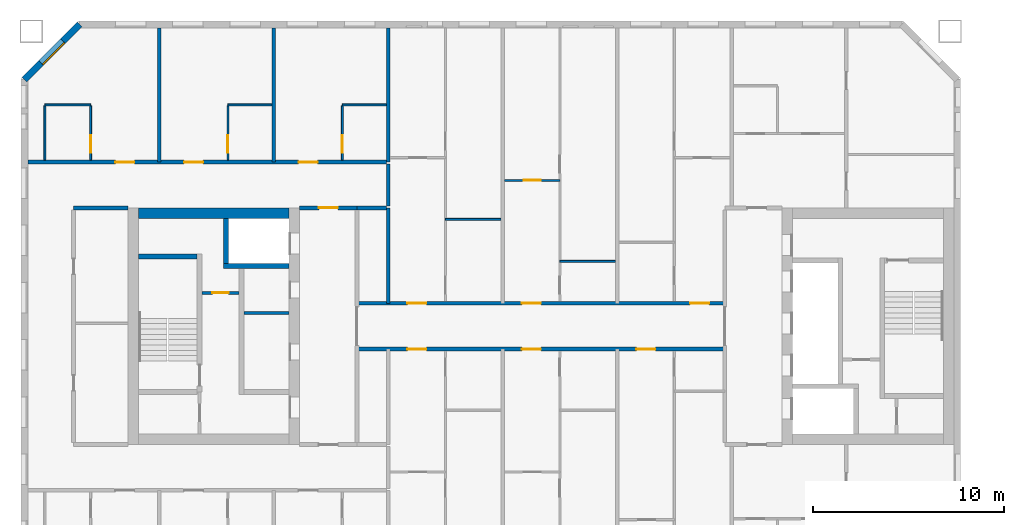
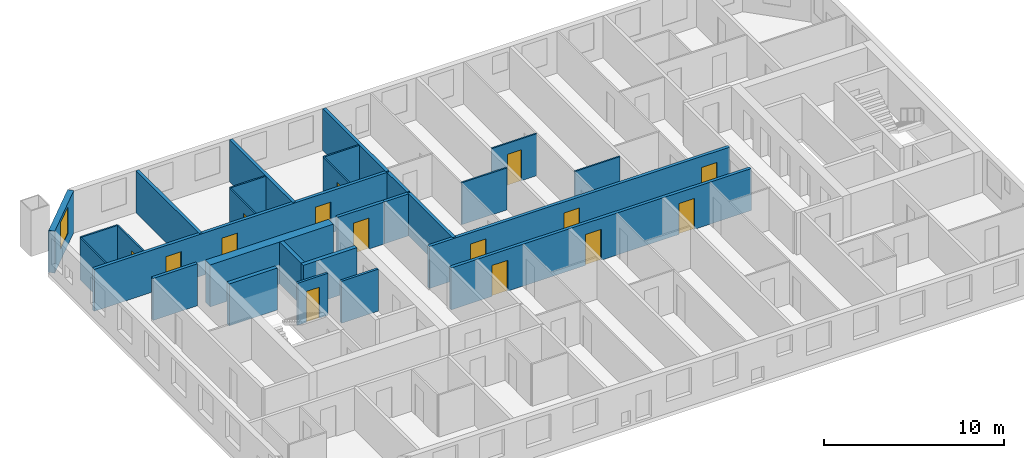
# One storey, part 5 of 16: 28 walls, 15 doors, 1 window, 16 openings.
"""IFC4 building model written with IfcOpenShell, lengths in metres."""

from ifc_helpers import new_model, si_unit, direction, frame, frame_2d, origin, place, context, subcontext, project, spatial, rectangle, extrude, material, layer, layer_set, type_object, element, fill, save


model = new_model("IFC4")

# Units and contexts
model_context = context("Model", 3, precision=1e-05, world=origin(), true_north=direction((0.0, 1.0)))
body_context = subcontext(model_context, "Body", "Model", "MODEL_VIEW")
ifc_project = project(units=[si_unit("LENGTHUNIT", "METRE"), si_unit("AREAUNIT", "SQUARE_METRE"), si_unit("VOLUMEUNIT", "CUBIC_METRE"), si_unit("PLANEANGLEUNIT", "RADIAN"), si_unit("MASSUNIT", "GRAM", prefix="KILO")], contexts=[model_context])

# Site, building, storey
site_placement = place(None, origin())
site = spatial("IfcSite", under=ifc_project, at=site_placement, CompositionType="ELEMENT")
building_placement = place(site_placement, origin())
building = spatial("IfcBuilding", under=site, at=building_placement, Name="Tuart Gate Housing", CompositionType="ELEMENT")
storey_placement = place(building_placement, frame((0.0, 0.0, 136.10009765625)))
storey = spatial("IfcBuildingStorey", under=building, at=storey_placement, Name="L38", CompositionType="ELEMENT", Elevation=136.10009765625)

# Wall, opening, window
ifc_material_1 = material(Name="Brick", Category="masonry")
ifc_layer_1 = layer(ifc_material_1, 0.360107421875)
ifc_layer_set_1 = layer_set([ifc_layer_1], Name="Brick pier and spandrel wall 360")
wall_type_1 = type_object("IfcWallType", Name="Brick pier and spandrel wall 360", PredefinedType="STANDARD", material=ifc_layer_set_1)
wall_1_placement = place(storey_placement, frame((29.82470703125, 85.820068359375, 0.0), z_axis=(0.0, 0.0, 1.0), x_axis=(-0.707106781187, -0.707106781187, 0.0)))
wall_1 = element("IfcWall", 1, at=wall_1_placement, inside=storey, type_object=wall_type_1, Name="External wall A-NW L38", PredefinedType="STANDARD", context=body_context, shape_type="SweptSolid", body=[
    extrude(rectangle(XDim=4.09375, YDim=0.360107421875, at=frame_2d((2.046875, 0.0))), origin(), (0.0, 0.0, 1.0), 2.849853515625),
])
opening_1_placement = place(wall_1_placement, frame((1.2470703125, 0.0, 0.800048828125)))
opening_1 = element("IfcOpeningElement", 2, at=opening_1_placement, cuts=wall_1, Name="Opening W1", PredefinedType="OPENING", context=body_context, shape_type="SweptSolid", body=[
    extrude(rectangle(XDim=1.60009765625, YDim=1.800048828125, at=frame_2d((0.800048828125, 0.89990234375))), frame((0.0, 0.18994140625, 0.0), z_axis=(0.0, -1.0, 0.0), x_axis=(1.0, 0.0, 0.0)), (0.0, 0.0, 1.0), 0.380126953125),
])
ifc_material_2 = material(Name="Aluminium frame with clear glass", Category="aluminium")
window_type = type_object("IfcWindowType", Name="Punched window 1600 x 1800", PartitioningType="SINGLE_PANEL", PredefinedType="WINDOW", material=ifc_material_2)
window_placement = place(opening_1_placement, origin())
window = element("IfcWindow", 3, at=window_placement, inside=storey, type_object=window_type, Name="Window W1", OverallHeight=1.800048828125, OverallWidth=1.60009765625, PartitioningType="SINGLE_PANEL", PredefinedType="WINDOW", context=body_context, shape_type="SweptSolid", body=[
    extrude(rectangle(XDim=1.60009765625, YDim=1.800048828125, at=frame_2d((0.800048828125, 0.89990234375))), frame((0.0, 0.150146484375, 0.0), z_axis=(0.0, -1.0, 0.0), x_axis=(1.0, 0.0, 0.0)), (0.0, 0.0, 1.0), 0.06005859375),
])
fill(opening_1, window)

# Wall, opening, door
ifc_material_3 = material(Name="Plasterboard partition")
ifc_layer_2 = layer(ifc_material_3, 0.14990234375)
ifc_layer_set_2 = layer_set([ifc_layer_2], Name="Core partition 150")
wall_type_2 = type_object("IfcWallType", Name="Core partition 150", PredefinedType="PARTITIONING", material=ifc_layer_set_2)
wall_2_placement = place(storey_placement, frame((38.18505859375, 71.75, 0.0), z_axis=(0.0, 0.0, 1.0), x_axis=(-1.0, 0.0, 0.0)))
wall_2 = element("IfcWall", 4, at=wall_2_placement, inside=storey, type_object=wall_type_2, Name="Core partition AK.3", PredefinedType="PARTITIONING", context=body_context, shape_type="SweptSolid", body=[
    extrude(rectangle(XDim=1.949951171875, YDim=0.14990234375, at=frame_2d((0.97509765625, 0.0))), origin(), (0.0, 0.0, 1.0), 2.849853515625),
])
opening_2_placement = place(wall_2_placement, frame((0.550048828125, 0.0, 0.0)))
opening_2 = element("IfcOpeningElement", 5, at=opening_2_placement, cuts=wall_2, Name="Opening D1424", PredefinedType="OPENING", context=body_context, shape_type="SweptSolid", body=[
    extrude(rectangle(XDim=0.85009765625, YDim=2.10009765625, at=frame_2d((0.425048828125, 1.050048828125))), frame((0.0, 0.0849609375, 0.0), z_axis=(0.0, -1.0, 0.0), x_axis=(1.0, 0.0, 0.0)), (0.0, 0.0, 1.0), 0.169921875),
])
ifc_material_4 = material(Name="Steel fire door", Category="steel")
door_type_1 = type_object("IfcDoorType", Name="Riser door 850 x 2100 RH", OperationType="SINGLE_SWING_RIGHT", PredefinedType="DOOR", material=ifc_material_4)
door_1_placement = place(opening_2_placement, frame((0.85009765625, 0.0, 0.0), z_axis=(0.0, 0.0, 1.0), x_axis=(-1.0, 0.0, 0.0)))
door_1 = element("IfcDoor", 6, at=door_1_placement, inside=storey, type_object=door_type_1, Name="Service room door AK.E1", OperationType="SINGLE_SWING_RIGHT", OverallHeight=2.10009765625, OverallWidth=0.85009765625, PredefinedType="DOOR", context=body_context, shape_type="SweptSolid", body=[
    extrude(rectangle(XDim=0.85009765625, YDim=2.10009765625, at=frame_2d((0.425048828125, 1.050048828125))), frame((0.0, 0.025146484375, 0.0), z_axis=(0.0, -1.0, 0.0), x_axis=(1.0, 0.0, 0.0)), (0.0, 0.0, 1.0), 0.050048828125),
])
fill(opening_2, door_1)

# Walls
wall_3_placement = place(storey_placement, frame((40.81005859375, 70.699951171875, 0.0), z_axis=(0.0, 0.0, 1.0), x_axis=(-1.0, 0.0, 0.0)))
element("IfcWall", 7, at=wall_3_placement, inside=storey, type_object=wall_type_2, Name="Core partition AK.4", PredefinedType="PARTITIONING", context=body_context, shape_type="SweptSolid", body=[
    extrude(rectangle(XDim=2.375, YDim=0.14990234375, at=frame_2d((1.1875, 0.0))), origin(), (0.0, 0.0, 1.0), 2.849853515625),
])
ifc_material_5 = material(Name="Concrete C50", Category="concrete")
ifc_layer_3 = layer(ifc_material_5, 0.25)
ifc_layer_set_3 = layer_set([ifc_layer_3], Name="Core wall 250 C50")
wall_type_3 = type_object("IfcWallType", Name="Core wall 250 C50", PredefinedType="SHEAR", material=ifc_layer_set_3)
wall_4_placement = place(storey_placement, frame((35.985107421875, 73.64990234375, 0.0), z_axis=(0.0, 0.0, 1.0), x_axis=(-1.0, 0.0, 0.0)))
element("IfcWall", 8, at=wall_4_placement, inside=storey, type_object=wall_type_3, Name="Core wall AK.1", PredefinedType="SHEAR", context=body_context, shape_type="SweptSolid", body=[
    extrude(rectangle(XDim=3.0751953125, YDim=0.25, at=frame_2d((1.53759765625, 0.0))), origin(), (0.0, 0.0, 1.0), 2.849853515625),
])
wall_5_placement = place(storey_placement, frame((40.81005859375, 73.14990234375, 0.0), z_axis=(0.0, 0.0, 1.0), x_axis=(-1.0, 0.0, 0.0)))
element("IfcWall", 9, at=wall_5_placement, inside=storey, type_object=wall_type_3, Name="Core wall AK.2", PredefinedType="SHEAR", context=body_context, shape_type="SweptSolid", body=[
    extrude(rectangle(XDim=3.445068359375, YDim=0.25, at=frame_2d((1.72265625, 0.0))), origin(), (0.0, 0.0, 1.0), 2.849853515625),
])
wall_6_placement = place(storey_placement, frame((37.489990234375, 75.64990234375, 0.0), z_axis=(0.0, 0.0, 1.0), x_axis=(0.0, -1.0, 0.0)))
element("IfcWall", 10, at=wall_6_placement, inside=storey, type_object=wall_type_3, Name="Core wall AK.8", PredefinedType="SHEAR", context=body_context, shape_type="SweptSolid", body=[
    extrude(rectangle(XDim=2.375, YDim=0.25, at=frame_2d((1.1875, 0.0))), origin(), (0.0, 0.0, 1.0), 2.849853515625),
])
ifc_material_6 = material(Name="Concrete C50", Category="concrete")
ifc_layer_4 = layer(ifc_material_6, 0.550048828125)
ifc_layer_set_4 = layer_set([ifc_layer_4], Name="Core wall 550 C50")
wall_type_4 = type_object("IfcWallType", Name="Core wall 550 C50", PredefinedType="SHEAR", material=ifc_layer_set_4)
wall_7_placement = place(storey_placement, frame((40.81005859375, 75.925048828125, 0.0), z_axis=(0.0, 0.0, 1.0), x_axis=(-1.0, 0.0, 0.0)))
element("IfcWall", 11, at=wall_7_placement, inside=storey, type_object=wall_type_4, Name="Core wall AK south", PredefinedType="SHEAR", context=body_context, shape_type="SweptSolid", body=[
    extrude(rectangle(XDim=7.900146484375, YDim=0.550048828125, at=frame_2d((3.9501953125, 0.0))), origin(), (0.0, 0.0, 1.0), 2.849853515625),
])

# Wall, openings, doors
ifc_material_7 = material(Name="Concrete masonry 15 MPa", Category="masonry")
ifc_layer_5 = layer(ifc_material_7, 0.199951171875)
ifc_layer_set_5 = layer_set([ifc_layer_5], Name="Corridor wall masonry 200")
wall_type_5 = type_object("IfcWallType", Name="Corridor wall masonry 200", PredefinedType="PARTITIONING", material=ifc_layer_set_5)
wall_8_placement = place(storey_placement, frame((44.360107421875, 68.800048828125, 0.0), z_axis=(0.0, 0.0, 1.0), x_axis=(1.0, 0.0, 0.0)))
wall_8 = element("IfcWall", 12, at=wall_8_placement, inside=storey, type_object=wall_type_5, Name="Corridor wall masonry 200", PredefinedType="PARTITIONING", context=body_context, shape_type="SweptSolid", body=[
    extrude(rectangle(XDim=19.27978515625, YDim=0.199951171875, at=frame_2d((9.639892578125, 0.0))), origin(), (0.0, 0.0, 1.0), 2.849853515625),
])
opening_3_placement = place(wall_8_placement, frame((14.639892578125, 0.0, 0.0)))
opening_3 = element("IfcOpeningElement", 13, at=opening_3_placement, cuts=wall_8, Name="Opening D1437", PredefinedType="OPENING", context=body_context, shape_type="SweptSolid", body=[
    extrude(rectangle(XDim=1.0, YDim=2.10009765625, at=frame_2d((0.5, 1.050048828125))), frame((0.0, 0.10986328125, 0.0), z_axis=(0.0, -1.0, 0.0), x_axis=(1.0, 0.0, 0.0)), (0.0, 0.0, 1.0), 0.219970703125),
])
opening_4_placement = place(wall_8_placement, frame((8.639892578125, 0.0, 0.0)))
opening_4 = element("IfcOpeningElement", 14, at=opening_4_placement, cuts=wall_8, Name="Opening D1438", PredefinedType="OPENING", context=body_context, shape_type="SweptSolid", body=[
    extrude(rectangle(XDim=1.0, YDim=2.10009765625, at=frame_2d((0.5, 1.050048828125))), frame((0.0, 0.10986328125, 0.0), z_axis=(0.0, -1.0, 0.0), x_axis=(1.0, 0.0, 0.0)), (0.0, 0.0, 1.0), 0.219970703125),
])
opening_5_placement = place(wall_8_placement, frame((2.639892578125, 0.0, 0.0)))
opening_5 = element("IfcOpeningElement", 15, at=opening_5_placement, cuts=wall_8, Name="Opening D1439", PredefinedType="OPENING", context=body_context, shape_type="SweptSolid", body=[
    extrude(rectangle(XDim=1.0, YDim=2.10009765625, at=frame_2d((0.5, 1.050048828125))), frame((0.0, 0.10986328125, 0.0), z_axis=(0.0, -1.0, 0.0), x_axis=(1.0, 0.0, 0.0)), (0.0, 0.0, 1.0), 0.219970703125),
])
ifc_material_8 = material(Name="Timber door leaf in steel frame", Category="steel")
door_type_2 = type_object("IfcDoorType", Name="Flat entrance door 1000 RH", OperationType="SINGLE_SWING_RIGHT", PredefinedType="DOOR", material=ifc_material_8)
door_2_placement = place(opening_3_placement, frame((1.0, 0.0, 0.0), z_axis=(0.0, 0.0, 1.0), x_axis=(-1.0, 0.0, 0.0)))
door_2 = element("IfcDoor", 16, at=door_2_placement, inside=storey, type_object=door_type_2, Name="Flat entrance door", OperationType="SINGLE_SWING_RIGHT", OverallHeight=2.10009765625, OverallWidth=1.0, PredefinedType="DOOR", context=body_context, shape_type="SweptSolid", body=[
    extrude(rectangle(XDim=1.0, YDim=2.10009765625, at=frame_2d((0.5, 1.050048828125))), frame((0.0, 0.025146484375, 0.0), z_axis=(0.0, -1.0, 0.0), x_axis=(1.0, 0.0, 0.0)), (0.0, 0.0, 1.0), 0.050048828125),
])
fill(opening_3, door_2)
door_3_placement = place(opening_4_placement, frame((1.0, 0.0, 0.0), z_axis=(0.0, 0.0, 1.0), x_axis=(-1.0, 0.0, 0.0)))
door_3 = element("IfcDoor", 17, at=door_3_placement, inside=storey, type_object=door_type_2, Name="Flat entrance door", OperationType="SINGLE_SWING_RIGHT", OverallHeight=2.10009765625, OverallWidth=1.0, PredefinedType="DOOR", context=body_context, shape_type="SweptSolid", body=[
    extrude(rectangle(XDim=1.0, YDim=2.10009765625, at=frame_2d((0.5, 1.050048828125))), frame((0.0, 0.025146484375, 0.0), z_axis=(0.0, -1.0, 0.0), x_axis=(1.0, 0.0, 0.0)), (0.0, 0.0, 1.0), 0.050048828125),
])
fill(opening_4, door_3)
door_4_placement = place(opening_5_placement, frame((1.0, 0.0, 0.0), z_axis=(0.0, 0.0, 1.0), x_axis=(-1.0, 0.0, 0.0)))
door_4 = element("IfcDoor", 18, at=door_4_placement, inside=storey, type_object=door_type_2, Name="Flat entrance door", OperationType="SINGLE_SWING_RIGHT", OverallHeight=2.10009765625, OverallWidth=1.0, PredefinedType="DOOR", context=body_context, shape_type="SweptSolid", body=[
    extrude(rectangle(XDim=1.0, YDim=2.10009765625, at=frame_2d((0.5, 1.050048828125))), frame((0.0, 0.025146484375, 0.0), z_axis=(0.0, -1.0, 0.0), x_axis=(1.0, 0.0, 0.0)), (0.0, 0.0, 1.0), 0.050048828125),
])
fill(opening_5, door_4)

wall_9_placement = place(storey_placement, frame((44.360107421875, 71.199951171875, 0.0), z_axis=(0.0, 0.0, 1.0), x_axis=(1.0, 0.0, 0.0)))
wall_9 = element("IfcWall", 19, at=wall_9_placement, inside=storey, type_object=wall_type_5, Name="Corridor wall masonry 200", PredefinedType="PARTITIONING", context=body_context, shape_type="SweptSolid", body=[
    extrude(rectangle(XDim=19.27978515625, YDim=0.199951171875, at=frame_2d((9.639892578125, 0.0))), origin(), (0.0, 0.0, 1.0), 2.849853515625),
])
opening_6_placement = place(wall_9_placement, frame((17.4599609375, 0.0, 0.0)))
opening_6 = element("IfcOpeningElement", 20, at=opening_6_placement, cuts=wall_9, Name="Opening D1425", PredefinedType="OPENING", context=body_context, shape_type="SweptSolid", body=[
    extrude(rectangle(XDim=1.0, YDim=2.10009765625, at=frame_2d((0.5, 1.050048828125))), frame((0.0, 0.10986328125, 0.0), z_axis=(0.0, -1.0, 0.0), x_axis=(1.0, 0.0, 0.0)), (0.0, 0.0, 1.0), 0.219970703125),
])
opening_7_placement = place(wall_9_placement, frame((8.639892578125, 0.0, 0.0)))
opening_7 = element("IfcOpeningElement", 21, at=opening_7_placement, cuts=wall_9, Name="Opening D1426", PredefinedType="OPENING", context=body_context, shape_type="SweptSolid", body=[
    extrude(rectangle(XDim=1.0, YDim=2.10009765625, at=frame_2d((0.5, 1.050048828125))), frame((0.0, 0.10986328125, 0.0), z_axis=(0.0, -1.0, 0.0), x_axis=(1.0, 0.0, 0.0)), (0.0, 0.0, 1.0), 0.219970703125),
])
opening_8_placement = place(wall_9_placement, frame((2.639892578125, 0.0, 0.0)))
opening_8 = element("IfcOpeningElement", 22, at=opening_8_placement, cuts=wall_9, Name="Opening D1427", PredefinedType="OPENING", context=body_context, shape_type="SweptSolid", body=[
    extrude(rectangle(XDim=1.0, YDim=2.10009765625, at=frame_2d((0.5, 1.050048828125))), frame((0.0, 0.10986328125, 0.0), z_axis=(0.0, -1.0, 0.0), x_axis=(1.0, 0.0, 0.0)), (0.0, 0.0, 1.0), 0.219970703125),
])
ifc_material_9 = material(Name="Timber door leaf in steel frame", Category="steel")
door_type_3 = type_object("IfcDoorType", Name="Flat entrance door 1000", OperationType="SINGLE_SWING_LEFT", PredefinedType="DOOR", material=ifc_material_9)
door_5_placement = place(opening_6_placement, origin())
door_5 = element("IfcDoor", 23, at=door_5_placement, inside=storey, type_object=door_type_3, Name="Flat entrance door", OperationType="SINGLE_SWING_LEFT", OverallHeight=2.10009765625, OverallWidth=1.0, PredefinedType="DOOR", context=body_context, shape_type="SweptSolid", body=[
    extrude(rectangle(XDim=1.0, YDim=2.10009765625, at=frame_2d((0.5, 1.050048828125))), frame((0.0, 0.02490234375, 0.0), z_axis=(0.0, -1.0, 0.0), x_axis=(1.0, 0.0, 0.0)), (0.0, 0.0, 1.0), 0.050048828125),
])
fill(opening_6, door_5)
door_6_placement = place(opening_7_placement, origin())
door_6 = element("IfcDoor", 24, at=door_6_placement, inside=storey, type_object=door_type_3, Name="Flat entrance door", OperationType="SINGLE_SWING_LEFT", OverallHeight=2.10009765625, OverallWidth=1.0, PredefinedType="DOOR", context=body_context, shape_type="SweptSolid", body=[
    extrude(rectangle(XDim=1.0, YDim=2.10009765625, at=frame_2d((0.5, 1.050048828125))), frame((0.0, 0.02490234375, 0.0), z_axis=(0.0, -1.0, 0.0), x_axis=(1.0, 0.0, 0.0)), (0.0, 0.0, 1.0), 0.050048828125),
])
fill(opening_7, door_6)
door_7_placement = place(opening_8_placement, origin())
door_7 = element("IfcDoor", 25, at=door_7_placement, inside=storey, type_object=door_type_3, Name="Flat entrance door", OperationType="SINGLE_SWING_LEFT", OverallHeight=2.10009765625, OverallWidth=1.0, PredefinedType="DOOR", context=body_context, shape_type="SweptSolid", body=[
    extrude(rectangle(XDim=1.0, YDim=2.10009765625, at=frame_2d((0.5, 1.050048828125))), frame((0.0, 0.02490234375, 0.0), z_axis=(0.0, -1.0, 0.0), x_axis=(1.0, 0.0, 0.0)), (0.0, 0.0, 1.0), 0.050048828125),
])
fill(opening_8, door_7)

# Walls
wall_10_placement = place(storey_placement, frame((29.510009765625, 76.199951171875, 0.0), z_axis=(0.0, 0.0, 1.0), x_axis=(1.0, 0.0, 0.0)))
element("IfcWall", 26, at=wall_10_placement, inside=storey, type_object=wall_type_5, Name="Corridor wall masonry 200", PredefinedType="PARTITIONING", context=body_context, shape_type="SweptSolid", body=[
    extrude(rectangle(XDim=2.85009765625, YDim=0.199951171875, at=frame_2d((1.425048828125, 0.0))), origin(), (0.0, 0.0, 1.0), 2.849853515625),
])
wall_11_placement = place(storey_placement, frame((44.360107421875, 76.199951171875, 0.0), z_axis=(0.0, 0.0, 1.0), x_axis=(1.0, 0.0, 0.0)))
element("IfcWall", 27, at=wall_11_placement, inside=storey, type_object=wall_type_5, Name="Corridor wall masonry 200", PredefinedType="PARTITIONING", context=body_context, shape_type="SweptSolid", body=[
    extrude(rectangle(XDim=1.539794921875, YDim=0.199951171875, at=frame_2d((0.77001953125, 0.0))), origin(), (0.0, 0.0, 1.0), 2.849853515625),
])

# Wall, openings, doors
wall_12_placement = place(storey_placement, frame((27.110107421875, 78.60009765625, 0.0), z_axis=(0.0, 0.0, 1.0), x_axis=(1.0, 0.0, 0.0)))
wall_12 = element("IfcWall", 28, at=wall_12_placement, inside=storey, type_object=wall_type_5, Name="Corridor wall masonry 200", PredefinedType="PARTITIONING", context=body_context, shape_type="SweptSolid", body=[
    extrude(rectangle(XDim=18.789794921875, YDim=0.199951171875, at=frame_2d((9.39501953125, 0.0))), origin(), (0.0, 0.0, 1.0), 2.849853515625),
])
opening_9_placement = place(wall_12_placement, frame((14.18994140625, 0.0, 0.0)))
opening_9 = element("IfcOpeningElement", 29, at=opening_9_placement, cuts=wall_12, Name="Opening D1411", PredefinedType="OPENING", context=body_context, shape_type="SweptSolid", body=[
    extrude(rectangle(XDim=1.0, YDim=2.10009765625, at=frame_2d((0.5, 1.050048828125))), frame((0.0, 0.10986328125, 0.0), z_axis=(0.0, -1.0, 0.0), x_axis=(1.0, 0.0, 0.0)), (0.0, 0.0, 1.0), 0.219970703125),
])
opening_10_placement = place(wall_12_placement, frame((8.18994140625, 0.0, 0.0)))
opening_10 = element("IfcOpeningElement", 30, at=opening_10_placement, cuts=wall_12, Name="Opening D1412", PredefinedType="OPENING", context=body_context, shape_type="SweptSolid", body=[
    extrude(rectangle(XDim=1.0, YDim=2.10009765625, at=frame_2d((0.5, 1.050048828125))), frame((0.0, 0.10986328125, 0.0), z_axis=(0.0, -1.0, 0.0), x_axis=(1.0, 0.0, 0.0)), (0.0, 0.0, 1.0), 0.219970703125),
])
opening_11_placement = place(wall_12_placement, frame((4.590087890625, 0.0, 0.0)))
opening_11 = element("IfcOpeningElement", 31, at=opening_11_placement, cuts=wall_12, Name="Opening D1413", PredefinedType="OPENING", context=body_context, shape_type="SweptSolid", body=[
    extrude(rectangle(XDim=1.0, YDim=2.10009765625, at=frame_2d((0.5, 1.050048828125))), frame((0.0, 0.10986328125, 0.0), z_axis=(0.0, -1.0, 0.0), x_axis=(1.0, 0.0, 0.0)), (0.0, 0.0, 1.0), 0.219970703125),
])
door_8_placement = place(opening_9_placement, origin())
door_8 = element("IfcDoor", 32, at=door_8_placement, inside=storey, type_object=door_type_3, Name="Flat entrance door", OperationType="SINGLE_SWING_LEFT", OverallHeight=2.10009765625, OverallWidth=1.0, PredefinedType="DOOR", context=body_context, shape_type="SweptSolid", body=[
    extrude(rectangle(XDim=1.0, YDim=2.10009765625, at=frame_2d((0.5, 1.050048828125))), frame((0.0, 0.02490234375, 0.0), z_axis=(0.0, -1.0, 0.0), x_axis=(1.0, 0.0, 0.0)), (0.0, 0.0, 1.0), 0.050048828125),
])
fill(opening_9, door_8)
door_9_placement = place(opening_10_placement, origin())
door_9 = element("IfcDoor", 33, at=door_9_placement, inside=storey, type_object=door_type_3, Name="Flat entrance door", OperationType="SINGLE_SWING_LEFT", OverallHeight=2.10009765625, OverallWidth=1.0, PredefinedType="DOOR", context=body_context, shape_type="SweptSolid", body=[
    extrude(rectangle(XDim=1.0, YDim=2.10009765625, at=frame_2d((0.5, 1.050048828125))), frame((0.0, 0.02490234375, 0.0), z_axis=(0.0, -1.0, 0.0), x_axis=(1.0, 0.0, 0.0)), (0.0, 0.0, 1.0), 0.050048828125),
])
fill(opening_10, door_9)
door_10_placement = place(opening_11_placement, origin())
door_10 = element("IfcDoor", 34, at=door_10_placement, inside=storey, type_object=door_type_3, Name="Flat entrance door", OperationType="SINGLE_SWING_LEFT", OverallHeight=2.10009765625, OverallWidth=1.0, PredefinedType="DOOR", context=body_context, shape_type="SweptSolid", body=[
    extrude(rectangle(XDim=1.0, YDim=2.10009765625, at=frame_2d((0.5, 1.050048828125))), frame((0.0, 0.02490234375, 0.0), z_axis=(0.0, -1.0, 0.0), x_axis=(1.0, 0.0, 0.0)), (0.0, 0.0, 1.0), 0.050048828125),
])
fill(opening_11, door_10)

# Wall
wall_13_placement = place(storey_placement, frame((46.0, 76.300048828125, 0.0), z_axis=(0.0, 0.0, 1.0), x_axis=(0.0, 1.0, 0.0)))
element("IfcWall", 35, at=wall_13_placement, inside=storey, type_object=wall_type_5, Name="Corridor wall masonry 200", PredefinedType="PARTITIONING", context=body_context, shape_type="SweptSolid", body=[
    extrude(rectangle(XDim=2.199951171875, YDim=0.199951171875, at=frame_2d((1.10009765625, 0.0))), origin(), (0.0, 0.0, 1.0), 2.849853515625),
])

# Wall, opening, door
ifc_material_10 = material(Name="Concrete masonry 15 MPa", Category="masonry")
ifc_layer_6 = layer(ifc_material_10, 0.199951171875)
ifc_layer_set_6 = layer_set([ifc_layer_6], Name="Enclosure wall masonry 200")
wall_type_6 = type_object("IfcWallType", Name="Enclosure wall masonry 200", PredefinedType="PARTITIONING", material=ifc_layer_set_6)
wall_14_placement = place(storey_placement, frame((41.360107421875, 76.199951171875, 0.0), z_axis=(0.0, 0.0, 1.0), x_axis=(1.0, 0.0, 0.0)))
wall_14 = element("IfcWall", 36, at=wall_14_placement, inside=storey, type_object=wall_type_6, Name="Enclosure wall masonry 200", PredefinedType="PARTITIONING", context=body_context, shape_type="SweptSolid", body=[
    extrude(rectangle(XDim=3.0, YDim=0.199951171875, at=frame_2d((1.5, 0.0))), origin(), (0.0, 0.0, 1.0), 2.849853515625),
])
opening_12_placement = place(wall_14_placement, frame((1.0, 0.0, 0.0)))
opening_12 = element("IfcOpeningElement", 37, at=opening_12_placement, cuts=wall_14, Name="Opening D1421", PredefinedType="OPENING", context=body_context, shape_type="SweptSolid", body=[
    extrude(rectangle(XDim=1.0, YDim=2.10009765625, at=frame_2d((0.5, 1.050048828125))), frame((0.0, 0.10986328125, 0.0), z_axis=(0.0, -1.0, 0.0), x_axis=(1.0, 0.0, 0.0)), (0.0, 0.0, 1.0), 0.219970703125),
])
ifc_material_11 = material(Name="Timber door leaf in steel frame", Category="steel")
door_type_4 = type_object("IfcDoorType", Name="Fire door 1000 RH", OperationType="SINGLE_SWING_RIGHT", PredefinedType="DOOR", material=ifc_material_11)
door_11_placement = place(opening_12_placement, origin())
door_11 = element("IfcDoor", 38, at=door_11_placement, inside=storey, type_object=door_type_4, Name="Fire door", OperationType="SINGLE_SWING_RIGHT", OverallHeight=2.10009765625, OverallWidth=1.0, PredefinedType="DOOR", context=body_context, shape_type="SweptSolid", body=[
    extrude(rectangle(XDim=1.0, YDim=2.10009765625, at=frame_2d((0.5, 1.050048828125))), frame((0.0, 0.02490234375, 0.0), z_axis=(0.0, -1.0, 0.0), x_axis=(1.0, 0.0, 0.0)), (0.0, 0.0, 1.0), 0.050048828125),
])
fill(opening_12, door_11)

# Walls
ifc_material_12 = material(Name="Gypsum board on steel studs", Category="steel")
ifc_layer_7 = layer(ifc_material_12, 0.10009765625)
ifc_layer_set_7 = layer_set([ifc_layer_7], Name="Partition 100")
wall_type_7 = type_object("IfcWallType", Name="Partition 100", PredefinedType="PARTITIONING", material=ifc_layer_set_7)
for number, where, z_axis, x_axis, name in (
    (39, (55.0, 73.39990234375, 0.0), (0.0, 0.0, 1.0), (1.0, 0.0, 0.0), "Partition 100"),
    (40, (49.0, 75.60009765625, 0.0), (0.0, 0.0, 1.0), (1.0, 0.0, 0.0), "Partition 100"),
):
    element("IfcWall", number, at=place(storey_placement, frame(where, z_axis=z_axis, x_axis=x_axis)), inside=storey, type_object=wall_type_7, Name=name, PredefinedType="PARTITIONING", context=body_context, shape_type="SweptSolid", body=[
        extrude(rectangle(XDim=2.89990234375, YDim=0.10009765625, at=frame_2d((1.449951171875, 0.0))), origin(), (0.0, 0.0, 1.0), 2.849853515625),
    ])

# Wall, opening, door
wall_15_placement = place(storey_placement, frame((52.10009765625, 77.639892578125, 0.0), z_axis=(0.0, 0.0, 1.0), x_axis=(1.0, 0.0, 0.0)))
wall_15 = element("IfcWall", 41, at=wall_15_placement, inside=storey, type_object=wall_type_7, Name="Partition 100", PredefinedType="PARTITIONING", context=body_context, shape_type="SweptSolid", body=[
    extrude(rectangle(XDim=2.89990234375, YDim=0.10009765625, at=frame_2d((1.449951171875, 0.0))), origin(), (0.0, 0.0, 1.0), 2.849853515625),
])
opening_13_placement = place(wall_15_placement, frame((1.0, 0.0, 0.0)))
opening_13 = element("IfcOpeningElement", 42, at=opening_13_placement, cuts=wall_15, Name="Opening D1420", PredefinedType="OPENING", context=body_context, shape_type="SweptSolid", body=[
    extrude(rectangle(XDim=0.89990234375, YDim=2.10009765625, at=frame_2d((0.449951171875, 1.050048828125))), frame((0.0, 0.06005859375, 0.0), z_axis=(0.0, -1.0, 0.0), x_axis=(1.0, 0.0, 0.0)), (0.0, 0.0, 1.0), 0.1201171875),
])
ifc_material_13 = material(Name="Timber door leaf in steel frame", Category="steel")
door_type_5 = type_object("IfcDoorType", Name="Internal door 900", OperationType="SINGLE_SWING_LEFT", PredefinedType="DOOR", material=ifc_material_13)
door_12_placement = place(opening_13_placement, frame((0.89990234375, 0.0, 0.0), z_axis=(0.0, 0.0, 1.0), x_axis=(-1.0, 0.0, 0.0)))
door_12 = element("IfcDoor", 43, at=door_12_placement, inside=storey, type_object=door_type_5, Name="Internal door", OperationType="SINGLE_SWING_LEFT", OverallHeight=2.10009765625, OverallWidth=0.89990234375, PredefinedType="DOOR", context=body_context, shape_type="SweptSolid", body=[
    extrude(rectangle(XDim=0.89990234375, YDim=2.10009765625, at=frame_2d((0.449951171875, 1.050048828125))), frame((0.0, 0.025146484375, 0.0), z_axis=(0.0, -1.0, 0.0), x_axis=(1.0, 0.0, 0.0)), (0.0, 0.0, 1.0), 0.050048828125),
])
fill(opening_13, door_12)

# Walls
wall_16_placement = place(storey_placement, frame((28.0, 81.60009765625, 0.0), z_axis=(0.0, 0.0, 1.0), x_axis=(1.0, 0.0, 0.0)))
element("IfcWall", 44, at=wall_16_placement, inside=storey, type_object=wall_type_7, Name="Partition 100", PredefinedType="PARTITIONING", context=body_context, shape_type="SweptSolid", body=[
    extrude(rectangle(XDim=2.39990234375, YDim=0.10009765625, at=frame_2d((1.199951171875, 0.0))), origin(), (0.0, 0.0, 1.0), 2.849853515625),
])
for number, where, z_axis, x_axis, name in (
    (45, (37.60009765625, 81.60009765625, 0.0), (0.0, 0.0, 1.0), (1.0, 0.0, 0.0), "Partition 100"),
    (46, (43.60009765625, 81.60009765625, 0.0), (0.0, 0.0, 1.0), (1.0, 0.0, 0.0), "Partition 100"),
):
    element("IfcWall", number, at=place(storey_placement, frame(where, z_axis=z_axis, x_axis=x_axis)), inside=storey, type_object=wall_type_7, Name=name, PredefinedType="PARTITIONING", context=body_context, shape_type="SweptSolid", body=[
        extrude(rectangle(XDim=2.2998046875, YDim=0.10009765625, at=frame_2d((1.14990234375, 0.0))), origin(), (0.0, 0.0, 1.0), 2.849853515625),
    ])
wall_17_placement = place(storey_placement, frame((28.0, 78.699951171875, 0.0), z_axis=(0.0, 0.0, 1.0), x_axis=(0.0, 1.0, 0.0)))
element("IfcWall", 47, at=wall_17_placement, inside=storey, type_object=wall_type_7, Name="Partition 100", PredefinedType="PARTITIONING", context=body_context, shape_type="SweptSolid", body=[
    extrude(rectangle(XDim=2.85009765625, YDim=0.10009765625, at=frame_2d((1.425048828125, 0.0))), origin(), (0.0, 0.0, 1.0), 2.849853515625),
])

# Wall, opening, door
wall_18_placement = place(storey_placement, frame((30.39990234375, 78.699951171875, 0.0), z_axis=(0.0, 0.0, 1.0), x_axis=(0.0, 1.0, 0.0)))
wall_18 = element("IfcWall", 48, at=wall_18_placement, inside=storey, type_object=wall_type_7, Name="Partition 100", PredefinedType="PARTITIONING", context=body_context, shape_type="SweptSolid", body=[
    extrude(rectangle(XDim=2.85009765625, YDim=0.10009765625, at=frame_2d((1.425048828125, 0.0))), origin(), (0.0, 0.0, 1.0), 2.849853515625),
])
opening_14_placement = place(wall_18_placement, frame((0.39990234375, 0.0, 0.0)))
opening_14 = element("IfcOpeningElement", 49, at=opening_14_placement, cuts=wall_18, Name="Opening D1404", PredefinedType="OPENING", context=body_context, shape_type="SweptSolid", body=[
    extrude(rectangle(XDim=0.89990234375, YDim=2.10009765625, at=frame_2d((0.449951171875, 1.050048828125))), frame((0.0, 0.06005859375, 0.0), z_axis=(0.0, -1.0, 0.0), x_axis=(1.0, 0.0, 0.0)), (0.0, 0.0, 1.0), 0.1201171875),
])
ifc_material_14 = material(Name="Timber door leaf in steel frame", Category="steel")
door_type_6 = type_object("IfcDoorType", Name="Bathroom door 900", OperationType="SINGLE_SWING_LEFT", PredefinedType="DOOR", material=ifc_material_14)
door_13_placement = place(opening_14_placement, origin())
door_13 = element("IfcDoor", 50, at=door_13_placement, inside=storey, type_object=door_type_6, Name="Bathroom door", OperationType="SINGLE_SWING_LEFT", OverallHeight=2.10009765625, OverallWidth=0.89990234375, PredefinedType="DOOR", context=body_context, shape_type="SweptSolid", body=[
    extrude(rectangle(XDim=0.89990234375, YDim=2.10009765625, at=frame_2d((0.449951171875, 1.050048828125))), frame((0.0, 0.02490234375, 0.0), z_axis=(0.0, -1.0, 0.0), x_axis=(1.0, 0.0, 0.0)), (0.0, 0.0, 1.0), 0.050048828125),
])
fill(opening_14, door_13)

wall_19_placement = place(storey_placement, frame((37.60009765625, 78.699951171875, 0.0), z_axis=(0.0, 0.0, 1.0), x_axis=(0.0, 1.0, 0.0)))
wall_19 = element("IfcWall", 51, at=wall_19_placement, inside=storey, type_object=wall_type_7, Name="Partition 100", PredefinedType="PARTITIONING", context=body_context, shape_type="SweptSolid", body=[
    extrude(rectangle(XDim=2.85009765625, YDim=0.10009765625, at=frame_2d((1.425048828125, 0.0))), origin(), (0.0, 0.0, 1.0), 2.849853515625),
])
opening_15_placement = place(wall_19_placement, frame((0.39990234375, 0.0, 0.0)))
opening_15 = element("IfcOpeningElement", 52, at=opening_15_placement, cuts=wall_19, Name="Opening D1405", PredefinedType="OPENING", context=body_context, shape_type="SweptSolid", body=[
    extrude(rectangle(XDim=0.89990234375, YDim=2.10009765625, at=frame_2d((0.449951171875, 1.050048828125))), frame((0.0, 0.06005859375, 0.0), z_axis=(0.0, -1.0, 0.0), x_axis=(1.0, 0.0, 0.0)), (0.0, 0.0, 1.0), 0.1201171875),
])
ifc_material_15 = material(Name="Timber door leaf in steel frame", Category="steel")
door_type_7 = type_object("IfcDoorType", Name="Bathroom door 900 RH", OperationType="SINGLE_SWING_RIGHT", PredefinedType="DOOR", material=ifc_material_15)
door_14_placement = place(opening_15_placement, frame((0.89990234375, 0.0, 0.0), z_axis=(0.0, 0.0, 1.0), x_axis=(-1.0, 0.0, 0.0)))
door_14 = element("IfcDoor", 53, at=door_14_placement, inside=storey, type_object=door_type_7, Name="Bathroom door", OperationType="SINGLE_SWING_RIGHT", OverallHeight=2.10009765625, OverallWidth=0.89990234375, PredefinedType="DOOR", context=body_context, shape_type="SweptSolid", body=[
    extrude(rectangle(XDim=0.89990234375, YDim=2.10009765625, at=frame_2d((0.449951171875, 1.050048828125))), frame((0.0, 0.025146484375, 0.0), z_axis=(0.0, -1.0, 0.0), x_axis=(1.0, 0.0, 0.0)), (0.0, 0.0, 1.0), 0.050048828125),
])
fill(opening_15, door_14)

wall_20_placement = place(storey_placement, frame((43.60009765625, 78.699951171875, 0.0), z_axis=(0.0, 0.0, 1.0), x_axis=(0.0, 1.0, 0.0)))
wall_20 = element("IfcWall", 54, at=wall_20_placement, inside=storey, type_object=wall_type_7, Name="Partition 100", PredefinedType="PARTITIONING", context=body_context, shape_type="SweptSolid", body=[
    extrude(rectangle(XDim=2.85009765625, YDim=0.10009765625, at=frame_2d((1.425048828125, 0.0))), origin(), (0.0, 0.0, 1.0), 2.849853515625),
])
opening_16_placement = place(wall_20_placement, frame((0.39990234375, 0.0, 0.0)))
opening_16 = element("IfcOpeningElement", 55, at=opening_16_placement, cuts=wall_20, Name="Opening D1406", PredefinedType="OPENING", context=body_context, shape_type="SweptSolid", body=[
    extrude(rectangle(XDim=0.89990234375, YDim=2.10009765625, at=frame_2d((0.449951171875, 1.050048828125))), frame((0.0, 0.06005859375, 0.0), z_axis=(0.0, -1.0, 0.0), x_axis=(1.0, 0.0, 0.0)), (0.0, 0.0, 1.0), 0.1201171875),
])
door_15_placement = place(opening_16_placement, frame((0.89990234375, 0.0, 0.0), z_axis=(0.0, 0.0, 1.0), x_axis=(-1.0, 0.0, 0.0)))
door_15 = element("IfcDoor", 56, at=door_15_placement, inside=storey, type_object=door_type_7, Name="Bathroom door", OperationType="SINGLE_SWING_RIGHT", OverallHeight=2.10009765625, OverallWidth=0.89990234375, PredefinedType="DOOR", context=body_context, shape_type="SweptSolid", body=[
    extrude(rectangle(XDim=0.89990234375, YDim=2.10009765625, at=frame_2d((0.449951171875, 1.050048828125))), frame((0.0, 0.025146484375, 0.0), z_axis=(0.0, -1.0, 0.0), x_axis=(1.0, 0.0, 0.0)), (0.0, 0.0, 1.0), 0.050048828125),
])
fill(opening_16, door_15)

# Walls
ifc_material_16 = material(Name="Concrete C40", Category="concrete")
ifc_layer_8 = layer(ifc_material_16, 0.199951171875)
ifc_layer_set_8 = layer_set([ifc_layer_8], Name="Party wall concrete C40 200")
wall_type_8 = type_object("IfcWallType", Name="Party wall concrete C40 200", PredefinedType="SOLIDWALL", material=ifc_layer_set_8)
for number, where, z_axis, x_axis, name in (
    (57, (34.0, 78.60009765625, 0.0), (0.0, 0.0, 1.0), (0.0, 1.0, 0.0), "Party wall concrete C40 200"),
    (58, (40.0, 78.60009765625, 0.0), (0.0, 0.0, 1.0), (0.0, 1.0, 0.0), "Party wall concrete C40 200"),
):
    element("IfcWall", number, at=place(storey_placement, frame(where, z_axis=z_axis, x_axis=x_axis)), inside=storey, type_object=wall_type_8, Name=name, PredefinedType="SOLIDWALL", context=body_context, shape_type="SweptSolid", body=[
        extrude(rectangle(XDim=7.039794921875, YDim=0.199951171875, at=frame_2d((3.52001953125, 0.0))), origin(), (0.0, 0.0, 1.0), 2.849853515625),
    ])
wall_21_placement = place(storey_placement, frame((46.0, 71.199951171875, 0.0), z_axis=(0.0, 0.0, 1.0), x_axis=(0.0, 1.0, 0.0)))
element("IfcWall", 59, at=wall_21_placement, inside=storey, type_object=wall_type_8, Name="Party wall concrete C40 200", PredefinedType="SOLIDWALL", context=body_context, shape_type="SweptSolid", body=[
    extrude(rectangle(XDim=5.0, YDim=0.199951171875, at=frame_2d((2.5, 0.0))), origin(), (0.0, 0.0, 1.0), 2.849853515625),
])
wall_22_placement = place(storey_placement, frame((46.0, 78.60009765625, 0.0), z_axis=(0.0, 0.0, 1.0), x_axis=(0.0, 1.0, 0.0)))
element("IfcWall", 60, at=wall_22_placement, inside=storey, type_object=wall_type_8, Name="Party wall concrete C40 200", PredefinedType="SOLIDWALL", context=body_context, shape_type="SweptSolid", body=[
    extrude(rectangle(XDim=7.039794921875, YDim=0.199951171875, at=frame_2d((3.52001953125, 0.0))), origin(), (0.0, 0.0, 1.0), 2.849853515625),
])

save(model, "model.ifc")
